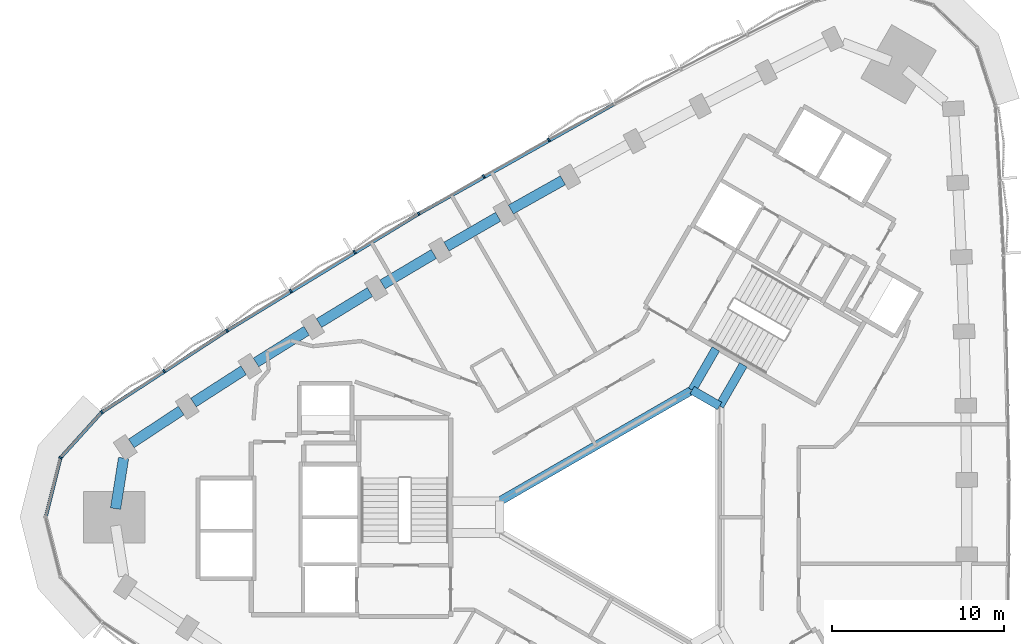
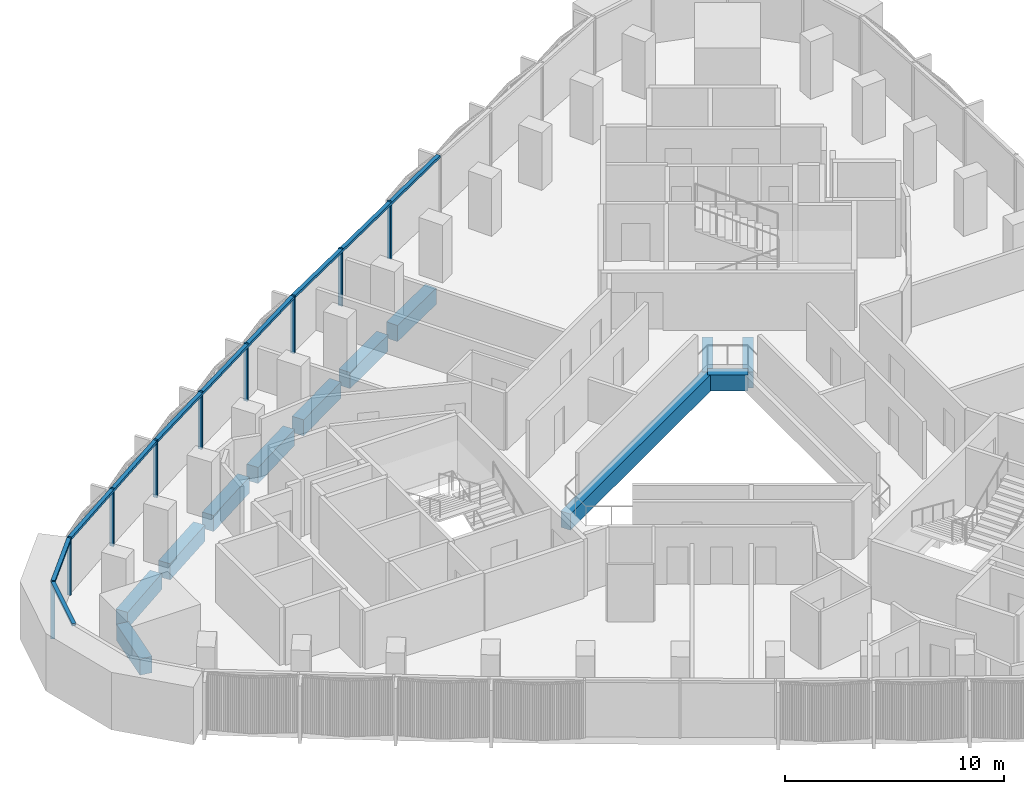
# One storey, part 4 of 14: 14 members, 12 beams, 1 element without a shape of its own.
"""IFC4 building model written with IfcOpenShell, lengths in metres."""

from ifc_helpers import new_model, si_unit, direction, frame, origin, origin_2d, place, context, subcontext, project, spatial, rectangle, extrude, material, material_profile, profile_set, type_object, element, aggregate, save


model = new_model("IFC4")

# Units and contexts
model_context = context("Model", 3, precision=1e-05, world=origin(), true_north=direction((0.0, 1.0)))
body_context = subcontext(model_context, "Body", "Model", "MODEL_VIEW")
ifc_project = project(units=[si_unit("LENGTHUNIT", "METRE"), si_unit("AREAUNIT", "SQUARE_METRE"), si_unit("VOLUMEUNIT", "CUBIC_METRE"), si_unit("PLANEANGLEUNIT", "RADIAN"), si_unit("MASSUNIT", "GRAM", prefix="KILO")], contexts=[model_context])

# Site, building, storey
site_placement = place(None, origin())
site = spatial("IfcSite", under=ifc_project, at=site_placement, CompositionType="ELEMENT")
building_placement = place(site_placement, origin())
building = spatial("IfcBuilding", under=site, at=building_placement, Name="Tamra Quay Hotel Tower", CompositionType="ELEMENT")
storey_placement = place(building_placement, frame((0.0, 0.0, 146.800048828125)))
storey = spatial("IfcBuildingStorey", under=building, at=storey_placement, Name="L36", CompositionType="ELEMENT", Elevation=146.800048828125)

# Beams
ifc_material_1 = material(Name="Concrete M60", Category="concrete")
ifc_material_profile_1 = material_profile(ifc_material_1, rectangle(XDim=0.5, YDim=0.89990234375, at=origin_2d()), Name="ATRIUM EDGE BEAM RC 500x900")
ifc_profile_set_1 = profile_set([ifc_material_profile_1], Name="Concrete M60")
beam_type_1 = type_object("IfcBeamType", Name="ATRIUM EDGE BEAM RC 500x900", PredefinedType="BEAM", material=ifc_profile_set_1)
beam_1_placement = place(storey_placement, frame((-8.0, 0.923828125, -0.85009765625), z_axis=(0.866024942741, 0.500000798549, 0.0), x_axis=(-0.500000798549, 0.866024942741, 0.0)))
element("IfcBeam", 1, at=beam_1_placement, inside=storey, type_object=beam_type_1, Name="BM-AB4-L36", PredefinedType="BEAM", context=body_context, shape_type="SweptSolid", body=[
    extrude(rectangle(XDim=0.5, YDim=0.89990234375, at=origin_2d()), origin(), (0.0, 0.0, 1.0), 12.9326171875),
])
beam_2_placement = place(storey_placement, frame((3.199951171875, 7.39013671875, -0.85009765625), z_axis=(0.86602275259, -0.500004591975, 0.0), x_axis=(0.500004591975, 0.86602275259, 0.0)))
element("IfcBeam", 2, at=beam_2_placement, inside=storey, type_object=beam_type_1, Name="BM-AB5-L36", PredefinedType="BEAM", context=body_context, shape_type="SweptSolid", body=[
    extrude(rectangle(XDim=0.5, YDim=0.89990234375, at=origin_2d()), origin(), (0.0, 0.0, 1.0), 1.84765625),
])
ifc_material_profile_2 = material_profile(ifc_material_1, rectangle(XDim=0.5, YDim=0.89990234375, at=origin_2d()), Name="ATRIUM TIE BEAM RC 500x900")
ifc_profile_set_2 = profile_set([ifc_material_profile_2], Name="Concrete M60")
beam_type_2 = type_object("IfcBeamType", Name="ATRIUM TIE BEAM RC 500x900", PredefinedType="BEAM", material=ifc_profile_set_2)
for number, where, z_axis, x_axis, name in (
    (3, (4.800048828125, 6.46630859375, -0.85009765625), (0.500008091576, 0.86602073206, 0.0), (-0.86602073206, 0.500008091576, 0.0), "BM-TIE-0-L36"),
    (4, (3.199951171875, 7.39013671875, -0.85009765625), (0.500008091576, 0.86602073206, 0.0), (-0.86602073206, 0.500008091576, 0.0), "BM-TIE-5-L36"),
):
    element("IfcBeam", number, at=place(storey_placement, frame(where, z_axis=z_axis, x_axis=x_axis)), inside=storey, type_object=beam_type_2, Name=name, PredefinedType="BEAM", context=body_context, shape_type="SweptSolid", body=[
        extrude(rectangle(XDim=0.5, YDim=0.89990234375, at=origin_2d()), origin(), (0.0, 0.0, 1.0), 2.76220703125),
    ])

# Curtain wall, members
ifc_material_2 = material(Name="Aluminium 6063 anodised dark grey", Category="aluminium")
curtain_wall_type = type_object("IfcCurtainWallType", Name="CW2 CURTAIN WALL", PredefinedType="NOTDEFINED", material=ifc_material_2)
curtain_wall_placement = place(storey_placement, origin())
curtain_wall = element("IfcCurtainWall", 5, at=curtain_wall_placement, inside=storey, type_object=curtain_wall_type, Name="CW2 north-west face L36", PredefinedType="NOTDEFINED")
ifc_material_profile_3 = material_profile(ifc_material_2, rectangle(XDim=0.199951171875, YDim=0.10009765625, at=origin_2d()), Name="MULLION 100X200")
ifc_profile_set_3 = profile_set([ifc_material_profile_3], Name="Aluminium 6063 anodised dark grey")
member_type_1 = type_object("IfcMemberType", Name="MULLION CW2 Z3", PredefinedType="MULLION", material=ifc_profile_set_3)
member_1_placement = place(storey_placement, frame((-5.13720703125, 21.951904296875, 0.0), z_axis=(0.0, 0.0, 1.0), x_axis=(-0.484394695404, 0.874849575107, 0.0)))
member_1 = element("IfcMember", 6, at=member_1_placement, type_object=member_type_1, Name="CW2 mullion L36.NW.5", PredefinedType="MULLION", context=body_context, shape_type="SweptSolid", body=[
    extrude(rectangle(XDim=0.199951171875, YDim=0.10009765625, at=origin_2d()), origin(), (0.0, 0.0, 1.0), 3.199951171875),
])
member_2_placement = place(storey_placement, frame((-8.930908203125, 19.821533203125, 0.0), z_axis=(0.0, 0.0, 1.0), x_axis=(-0.494813499493, 0.86899919489, 0.0)))
member_2 = element("IfcMember", 7, at=member_2_placement, type_object=member_type_1, Name="CW2 mullion L36.NW.6", PredefinedType="MULLION", context=body_context, shape_type="SweptSolid", body=[
    extrude(rectangle(XDim=0.199951171875, YDim=0.10009765625, at=origin_2d()), origin(), (0.0, 0.0, 1.0), 3.199951171875),
])
member_3_placement = place(storey_placement, frame((-12.700439453125, 17.645263671875, 0.0), z_axis=(0.0, 0.0, 1.0), x_axis=(-0.505168628897, 0.863020658141, 0.0)))
member_3 = element("IfcMember", 8, at=member_3_placement, type_object=member_type_1, Name="CW2 mullion L36.NW.7", PredefinedType="MULLION", context=body_context, shape_type="SweptSolid", body=[
    extrude(rectangle(XDim=0.199951171875, YDim=0.10009765625, at=origin_2d()), origin(), (0.0, 0.0, 1.0), 3.199951171875),
])
member_4_placement = place(storey_placement, frame((-16.4423828125, 15.4248046875, 0.0), z_axis=(0.0, 0.0, 1.0), x_axis=(-0.515444608831, 0.856922899231, 0.0)))
member_4 = element("IfcMember", 9, at=member_4_placement, type_object=member_type_1, Name="CW2 mullion L36.NW.8", PredefinedType="MULLION", context=body_context, shape_type="SweptSolid", body=[
    extrude(rectangle(XDim=0.199951171875, YDim=0.10009765625, at=origin_2d()), origin(), (0.0, 0.0, 1.0), 3.199951171875),
])
member_5_placement = place(storey_placement, frame((-20.15869140625, 13.1591796875, 0.0), z_axis=(0.0, 0.0, 1.0), x_axis=(-0.525646070237, 0.850703361251, 0.0)))
member_5 = element("IfcMember", 10, at=member_5_placement, type_object=member_type_1, Name="CW2 mullion L36.NW.9", PredefinedType="MULLION", context=body_context, shape_type="SweptSolid", body=[
    extrude(rectangle(XDim=0.199951171875, YDim=0.10009765625, at=origin_2d()), origin(), (0.0, 0.0, 1.0), 3.199951171875),
])
member_6_placement = place(storey_placement, frame((-23.84765625, 10.84912109375, 0.0), z_axis=(0.0, 0.0, 1.0), x_axis=(-0.535760469724, 0.844370013135, 0.0)))
member_6 = element("IfcMember", 11, at=member_6_placement, type_object=member_type_1, Name="CW2 mullion L36.NW.10", PredefinedType="MULLION", context=body_context, shape_type="SweptSolid", body=[
    extrude(rectangle(XDim=0.199951171875, YDim=0.10009765625, at=origin_2d()), origin(), (0.0, 0.0, 1.0), 3.199951171875),
])
member_7_placement = place(storey_placement, frame((-27.507568359375, 8.49609375, 0.0), z_axis=(0.0, 0.0, 1.0), x_axis=(-0.545780333841, 0.83792829478, 0.0)))
member_7 = element("IfcMember", 12, at=member_7_placement, type_object=member_type_1, Name="CW2 mullion L36.NW.11", PredefinedType="MULLION", context=body_context, shape_type="SweptSolid", body=[
    extrude(rectangle(XDim=0.199951171875, YDim=0.10009765625, at=origin_2d()), origin(), (0.0, 0.0, 1.0), 3.199951171875),
])
member_8_placement = place(storey_placement, frame((-31.139892578125, 6.099365234375, 0.0), z_axis=(0.0, 0.0, 1.0), x_axis=(-0.650989203966, 0.759086988638, 0.0)))
member_8 = element("IfcMember", 13, at=member_8_placement, type_object=member_type_1, Name="CW2 mullion L36.NW.12", PredefinedType="MULLION", context=body_context, shape_type="SweptSolid", body=[
    extrude(rectangle(XDim=0.199951171875, YDim=0.10009765625, at=origin_2d()), origin(), (0.0, 0.0, 1.0), 3.199951171875),
])
member_9_placement = place(storey_placement, frame((-33.533935546875, 3.4580078125, 0.0), z_axis=(0.0, 0.0, 1.0), x_axis=(-0.881925145425, 0.47138947577, 0.0)))
member_9 = element("IfcMember", 14, at=member_9_placement, type_object=member_type_1, Name="CW2 mullion L36.NW.13", PredefinedType="MULLION", context=body_context, shape_type="SweptSolid", body=[
    extrude(rectangle(XDim=0.199951171875, YDim=0.10009765625, at=origin_2d()), origin(), (0.0, 0.0, 1.0), 3.199951171875),
])

# Beams
ifc_material_profile_4 = material_profile(ifc_material_1, rectangle(XDim=0.60009765625, YDim=0.89990234375, at=origin_2d()), Name="SPANDREL BEAM RC 600x900")
ifc_profile_set_4 = profile_set([ifc_material_profile_4], Name="Concrete M60")
beam_type_3 = type_object("IfcBeamType", Name="SPANDREL BEAM RC 600x900", PredefinedType="SPANDREL", material=ifc_profile_set_4)
beam_3_placement = place(storey_placement, frame((-4.315185546875, 19.59130859375, -0.85009765625), z_axis=(-0.871956406858, -0.489583521516, 0.0), x_axis=(0.489583521516, -0.871956406858, 0.0)))
element("IfcBeam", 15, at=beam_3_placement, inside=storey, type_object=beam_type_3, Name="BM-SP3-017-L36", PredefinedType="SPANDREL", context=body_context, shape_type="SweptSolid", body=[
    extrude(rectangle(XDim=0.60009765625, YDim=0.89990234375, at=origin_2d()), origin(), (0.0, 0.0, 1.0), 3.47265625),
])
beam_4_placement = place(storey_placement, frame((-8.081787109375, 17.470458984375, -0.85009765625), z_axis=(-0.866032201241, -0.499988226275, 0.0), x_axis=(0.499988226275, -0.866032201241, 0.0)))
element("IfcBeam", 16, at=beam_4_placement, inside=storey, type_object=beam_type_3, Name="BM-SP3-018-L36", PredefinedType="SPANDREL", context=body_context, shape_type="SweptSolid", body=[
    extrude(rectangle(XDim=0.60009765625, YDim=0.89990234375, at=origin_2d()), origin(), (0.0, 0.0, 1.0), 3.47216796875),
])
beam_5_placement = place(storey_placement, frame((-11.822509765625, 15.304931640625, -0.85009765625), z_axis=(-0.859988767784, -0.510312962098, 0.0), x_axis=(0.510312962098, -0.859988767784, 0.0)))
element("IfcBeam", 17, at=beam_5_placement, inside=storey, type_object=beam_type_3, Name="BM-SP3-019-L36", PredefinedType="SPANDREL", context=body_context, shape_type="SweptSolid", body=[
    extrude(rectangle(XDim=0.60009765625, YDim=0.89990234375, at=origin_2d()), origin(), (0.0, 0.0, 1.0), 3.472900390625),
])
for number, where, z_axis, x_axis, name in (
    (18, (-15.53759765625, 13.094482421875, -0.85009765625), (-0.853835813207, -0.520542413339, 0.0), (0.520542413339, -0.853835813207, 0.0), "BM-SP3-020-L36"),
    (19, (-19.225341796875, 10.840087890625, -0.85009765625), (-0.847547681474, -0.530719255, 0.0), (0.530719255, -0.847547681474, 0.0), "BM-SP3-021-L36"),
):
    element("IfcBeam", number, at=place(storey_placement, frame(where, z_axis=z_axis, x_axis=x_axis)), inside=storey, type_object=beam_type_3, Name=name, PredefinedType="SPANDREL", context=body_context, shape_type="SweptSolid", body=[
        extrude(rectangle(XDim=0.60009765625, YDim=0.89990234375, at=origin_2d()), origin(), (0.0, 0.0, 1.0), 3.47216796875),
    ])
beam_6_placement = place(storey_placement, frame((-22.885986328125, 8.5419921875, -0.85009765625), z_axis=(-0.84116020305, -0.540786013878, 0.0), x_axis=(0.540786013878, -0.84116020305, 0.0)))
element("IfcBeam", 20, at=beam_6_placement, inside=storey, type_object=beam_type_3, Name="BM-SP3-022-L36", PredefinedType="SPANDREL", context=body_context, shape_type="SweptSolid", body=[
    extrude(rectangle(XDim=0.60009765625, YDim=0.89990234375, at=origin_2d()), origin(), (0.0, 0.0, 1.0), 3.47314453125),
])
beam_7_placement = place(storey_placement, frame((-26.51953125, 6.199951171875, -0.85009765625), z_axis=(-0.834690851507, -0.55071878705, 0.0), x_axis=(0.55071878705, -0.834690851507, 0.0)))
element("IfcBeam", 21, at=beam_7_placement, inside=storey, type_object=beam_type_3, Name="BM-SP3-023-L36", PredefinedType="SPANDREL", context=body_context, shape_type="SweptSolid", body=[
    extrude(rectangle(XDim=0.60009765625, YDim=0.89990234375, at=origin_2d()), origin(), (0.0, 0.0, 1.0), 3.472412109375),
])
beam_8_placement = place(storey_placement, frame((-29.87060546875, 3.434814453125, -0.85009765625), z_axis=(-0.156337236308, -0.987703735208, 0.0), x_axis=(0.987703735208, -0.156337236308, 0.0)))
element("IfcBeam", 22, at=beam_8_placement, inside=storey, type_object=beam_type_3, Name="BM-SP3-024-L36", PredefinedType="SPANDREL", context=body_context, shape_type="SweptSolid", body=[
    extrude(rectangle(XDim=0.60009765625, YDim=0.89990234375, at=origin_2d()), origin(), (0.0, 0.0, 1.0), 2.97802734375),
])

# Member
ifc_material_profile_5 = material_profile(ifc_material_2, rectangle(XDim=0.199951171875, YDim=0.139892578125, at=origin_2d()), Name="TRANSOM 200X140")
ifc_profile_set_5 = profile_set([ifc_material_profile_5], Name="Aluminium 6063 anodised dark grey")
member_type_2 = type_object("IfcMemberType", Name="TRANSOM CW2 Z3", PredefinedType="USERDEFINED", material=ifc_profile_set_5)
member_10_placement = place(storey_placement, frame((-1.360595703125, 24.013671875, 3.1298828125), z_axis=(-0.871941163172, -0.489610669783, 0.0), x_axis=(0.489610669783, -0.871941163172, 0.0)))
member_10 = element("IfcMember", 23, at=member_10_placement, type_object=member_type_2, Name="CW2 transom L36.NW.4", ObjectType="TRANSOM", PredefinedType="USERDEFINED", context=body_context, shape_type="SweptSolid", body=[
    extrude(rectangle(XDim=0.199951171875, YDim=0.139892578125, at=origin_2d()), origin(), (0.0, 0.0, 1.0), 12.955810546875),
])

member_11_placement = place(storey_placement, frame((-12.743408203125, 17.619873046875, 3.1298828125), z_axis=(-0.853830086981, -0.520551805843, 0.0), x_axis=(0.520551805843, -0.853830086981, 0.0)))
member_11 = element("IfcMember", 24, at=member_11_placement, type_object=member_type_2, Name="CW2 transom L36.NW.7", ObjectType="TRANSOM", PredefinedType="USERDEFINED", context=body_context, shape_type="SweptSolid", body=[
    extrude(rectangle(XDim=0.199951171875, YDim=0.139892578125, at=origin_2d()), origin(), (0.0, 0.0, 1.0), 12.955810546875),
])

member_12_placement = place(storey_placement, frame((-23.889892578125, 10.822021484375, 3.1298828125), z_axis=(-0.837927757603, -0.545781158559, 0.0), x_axis=(0.545781158559, -0.837927757603, 0.0)))
member_12 = element("IfcMember", 25, at=member_12_placement, type_object=member_type_2, Name="CW2 transom L36.NW.10", ObjectType="TRANSOM", PredefinedType="USERDEFINED", context=body_context, shape_type="SweptSolid", body=[
    extrude(rectangle(XDim=0.199951171875, YDim=0.139892578125, at=origin_2d()), origin(), (0.0, 0.0, 1.0), 8.6025390625),
])

member_13_placement = place(storey_placement, frame((-31.17333984375, 6.0625, 3.1298828125), z_axis=(-0.671553275013, -0.740956273217, 0.0), x_axis=(0.740956273217, -0.671553275013, 0.0)))
member_13 = element("IfcMember", 26, at=member_13_placement, type_object=member_type_2, Name="CW2 transom L36.NW.12", ObjectType="TRANSOM", PredefinedType="USERDEFINED", context=body_context, shape_type="SweptSolid", body=[
    extrude(rectangle(XDim=0.199951171875, YDim=0.139892578125, at=origin_2d()), origin(), (0.0, 0.0, 1.0), 3.46484375),
])

member_14_placement = place(storey_placement, frame((-33.5458984375, 3.409423828125, 3.1298828125), z_axis=(-0.243032991535, -0.970018023042, 0.0), x_axis=(0.970018023042, -0.243032991535, 0.0)))
member_14 = element("IfcMember", 27, at=member_14_placement, type_object=member_type_2, Name="CW2 transom L36.NW.13", ObjectType="TRANSOM", PredefinedType="USERDEFINED", context=body_context, shape_type="SweptSolid", body=[
    extrude(rectangle(XDim=0.199951171875, YDim=0.139892578125, at=origin_2d()), origin(), (0.0, 0.0, 1.0), 3.464599609375),
])

aggregate(curtain_wall, [member_10, member_1, member_2, member_3, member_11, member_4, member_5, member_6, member_12, member_7, member_8, member_13, member_9, member_14])

save(model, "model.ifc")
